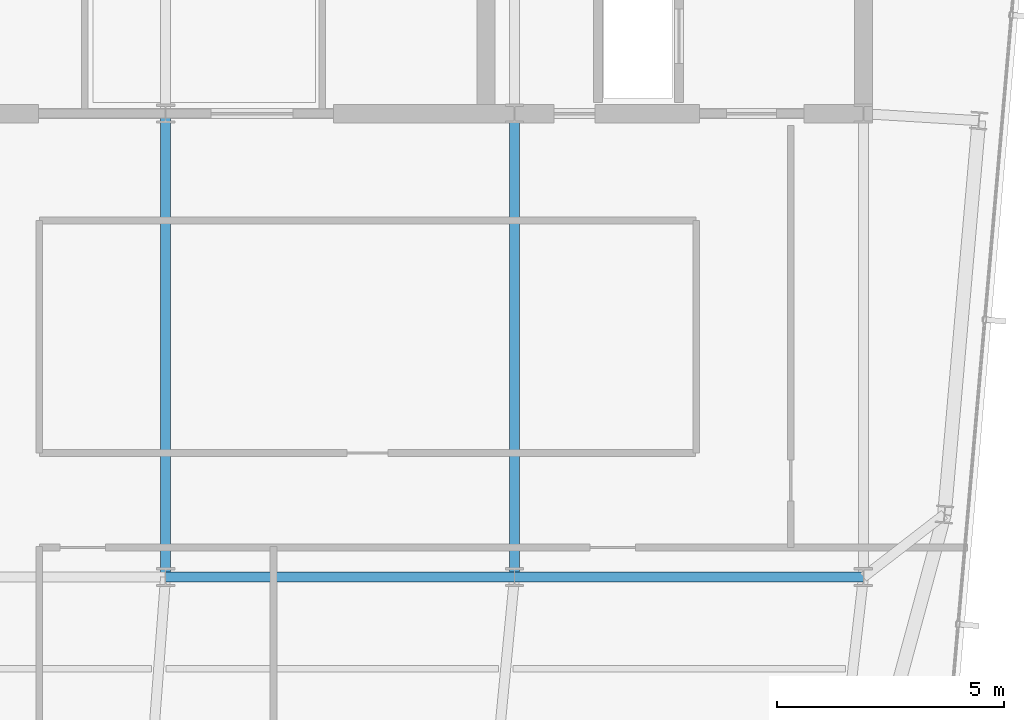
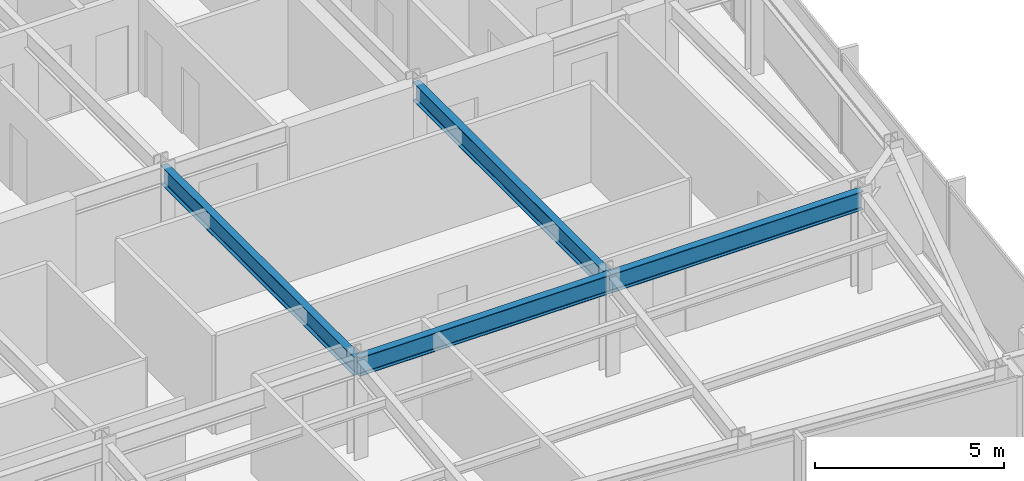
# One storey, part 15 of 32: 4 beams.
"""IFC4 building model written with IfcOpenShell, lengths in metres."""

from ifc_helpers import new_model, si_unit, direction, frame, origin, origin_2d, place, context, subcontext, project, spatial, i_section, extrude, material, material_profile, profile_set, type_object, element, save


model = new_model("IFC4")

# Units and contexts
model_context = context("Model", 3, precision=1e-05, world=origin(), true_north=direction((0.0, 1.0)))
body_context = subcontext(model_context, "Body", "Model", "MODEL_VIEW")
ifc_project = project(units=[si_unit("LENGTHUNIT", "METRE"), si_unit("AREAUNIT", "SQUARE_METRE"), si_unit("VOLUMEUNIT", "CUBIC_METRE"), si_unit("PLANEANGLEUNIT", "RADIAN"), si_unit("MASSUNIT", "GRAM", prefix="KILO")], contexts=[model_context])

# Site, building, storey
site_placement = place(None, origin())
site = spatial("IfcSite", under=ifc_project, at=site_placement, CompositionType="ELEMENT")
building_placement = place(site_placement, origin())
building = spatial("IfcBuilding", under=site, at=building_placement, Name="Yelkora Congress Tower", CompositionType="ELEMENT")
storey_placement = place(building_placement, frame((0.0, 0.0, 259.10009765625)))
storey = spatial("IfcBuildingStorey", under=building, at=storey_placement, Name="L72", CompositionType="ELEMENT", Elevation=259.10009765625)

# Beams
ifc_material = material(Name="Steel S355J2", Category="steel")
ifc_material_profile = material_profile(ifc_material, i_section(OverallWidth=0.219970703125, OverallDepth=0.60009765625, WebThickness=0.011962890625, FlangeThickness=0.01904296875, FilletRadius=0.02392578125, at=origin_2d()), Name="IPE 600")
ifc_profile_set = profile_set([ifc_material_profile], Name="Steel S355J2")
beam_type = type_object("IfcBeamType", Name="BM-GIRD-IPE600", PredefinedType="BEAM", material=ifc_profile_set)
beam_1_placement = place(storey_placement, frame((38.39990234375, 25.199951171875, 2.8798828125), z_axis=(1.0, 0.0, 0.0), x_axis=(0.0, 1.0, 0.0)))
element("IfcBeam", 1, at=beam_1_placement, inside=storey, type_object=beam_type, Name="L72 Spine Grid D Girder 3", PredefinedType="BEAM", context=body_context, shape_type="SweptSolid", body=[
    extrude(i_section(OverallWidth=0.219970703125, OverallDepth=0.60009765625, WebThickness=0.011962890625, FlangeThickness=0.01904296875, FilletRadius=0.02392578125, at=origin_2d()), origin(), (0.0, 0.0, 1.0), 7.68017578125),
])
beam_2_placement = place(storey_placement, frame((46.080078125, 25.199951171875, 2.8798828125), z_axis=(1.0, 0.0, 0.0), x_axis=(0.0, 1.0, 0.0)))
element("IfcBeam", 2, at=beam_2_placement, inside=storey, type_object=beam_type, Name="L72 Spine Grid D Girder 4", PredefinedType="BEAM", context=body_context, shape_type="SweptSolid", body=[
    extrude(i_section(OverallWidth=0.219970703125, OverallDepth=0.60009765625, WebThickness=0.011962890625, FlangeThickness=0.01904296875, FilletRadius=0.02392578125, at=origin_2d()), origin(), (0.0, 0.0, 1.0), 7.679931640625),
])
for number, where, z_axis, x_axis, name in (
    (3, (38.39990234375, 25.199951171875, 2.8798828125), (0.0, 1.0, 0.0), (-1.0, 0.0, 0.0), "L72 Core Tie Girder MC-D3"),
    (4, (46.080078125, 25.199951171875, 2.8798828125), (0.0, 1.0, 0.0), (-1.0, 0.0, 0.0), "L72 Core Tie Girder MC-D4"),
):
    element("IfcBeam", number, at=place(storey_placement, frame(where, z_axis=z_axis, x_axis=x_axis)), inside=storey, type_object=beam_type, Name=name, PredefinedType="BEAM", context=body_context, shape_type="SweptSolid", body=[
        extrude(i_section(OverallWidth=0.219970703125, OverallDepth=0.60009765625, WebThickness=0.011962890625, FlangeThickness=0.01904296875, FilletRadius=0.02392578125, at=origin_2d()), origin(), (0.0, 0.0, 1.0), 10.199951171875),
    ])

save(model, "model.ifc")
